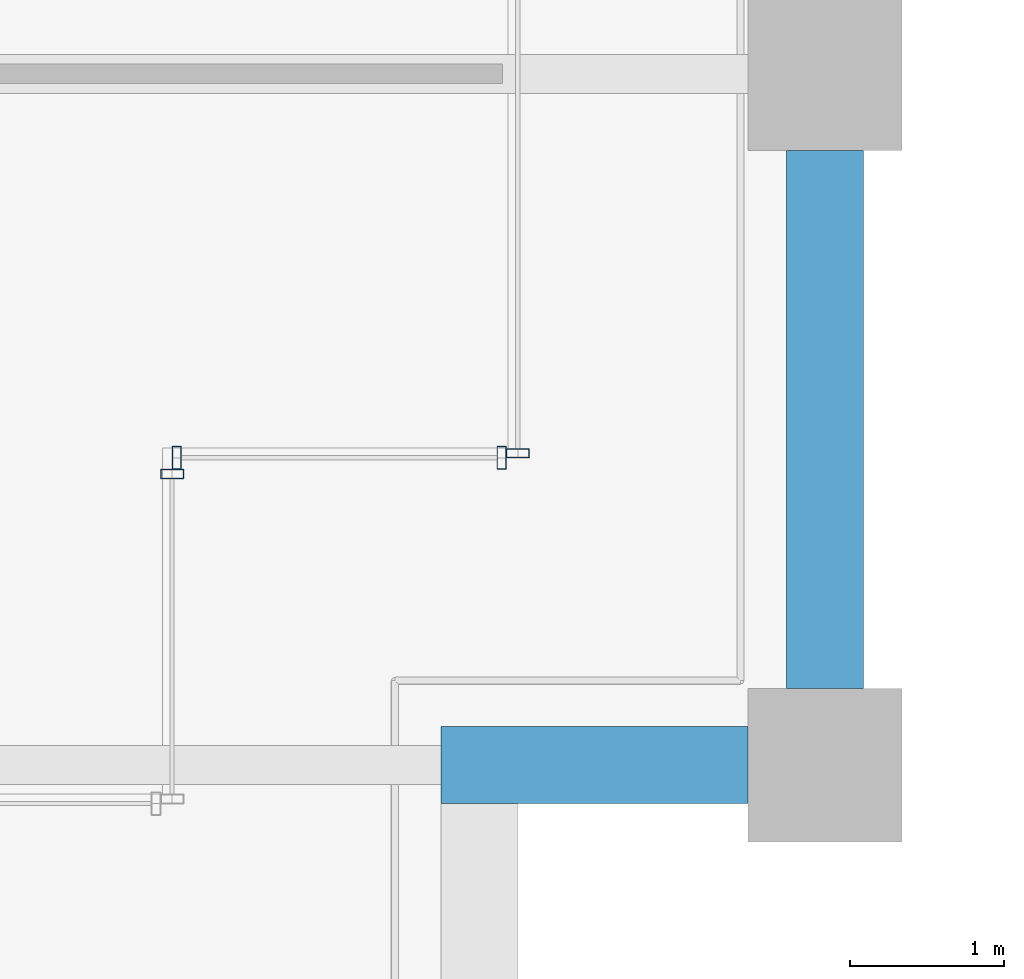
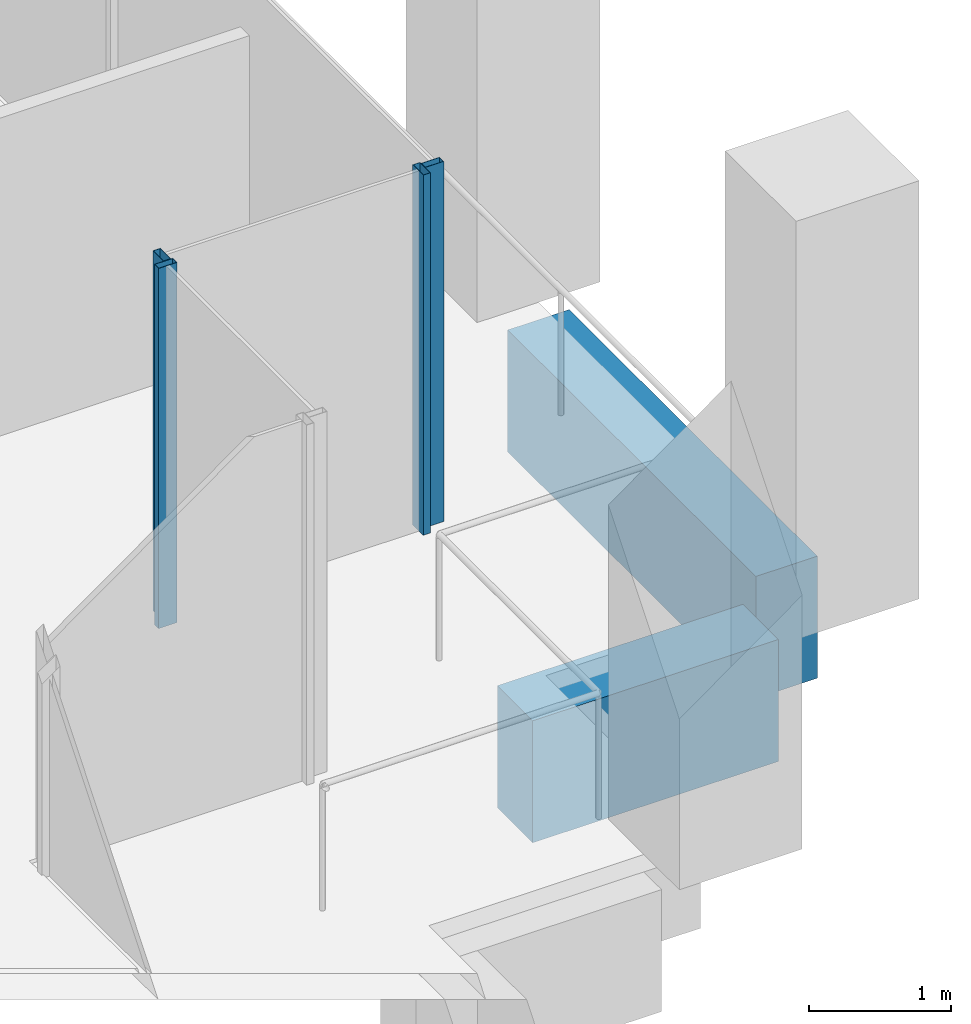
# One storey, part 13 of 46: 4 members, 2 beams, 3 elements without a shape of their own.
"""IFC4 building model written with IfcOpenShell, lengths in metres."""

from ifc_helpers import new_model, si_unit, direction, frame, origin, origin_2d, place, context, subcontext, project, spatial, rectangle, hollow_rectangle, extrude, material, material_profile, profile_set, type_object, element, aggregate, save


model = new_model("IFC4")

# Units and contexts
model_context = context("Model", 3, precision=1e-05, world=origin(), true_north=direction((0.0, 1.0)))
body_context = subcontext(model_context, "Body", "Model", "MODEL_VIEW")
ifc_project = project(units=[si_unit("LENGTHUNIT", "METRE"), si_unit("AREAUNIT", "SQUARE_METRE"), si_unit("VOLUMEUNIT", "CUBIC_METRE"), si_unit("PLANEANGLEUNIT", "RADIAN"), si_unit("MASSUNIT", "GRAM", prefix="KILO")], contexts=[model_context])

# Site, building, storey
site_placement = place(None, origin())
site = spatial("IfcSite", under=ifc_project, at=site_placement, CompositionType="ELEMENT")
building_placement = place(site_placement, origin())
building = spatial("IfcBuilding", under=site, at=building_placement, Name="Altepetl Exchange Towers", CompositionType="ELEMENT")
storey_placement = place(building_placement, frame((0.0, 0.0, 131.60009765625)))
storey = spatial("IfcBuildingStorey", under=building, at=storey_placement, Name="L32", CompositionType="ELEMENT", Elevation=131.60009765625)

# Curtain wall, member
ifc_material_1 = material(Name="Aluminium 6063-T6 glazing", Category="aluminium")
curtain_wall_type = type_object("IfcCurtainWallType", Name="Loggia glazing system", PredefinedType="NOTDEFINED", material=ifc_material_1)
curtain_wall_1_placement = place(storey_placement, origin())
curtain_wall_1 = element("IfcCurtainWall", 1, at=curtain_wall_1_placement, inside=storey, type_object=curtain_wall_type, Name="CW1 run", PredefinedType="NOTDEFINED")
ifc_material_2 = material(Name="Aluminium 6063-T6", Category="aluminium")
ifc_material_profile_1 = material_profile(ifc_material_2, hollow_rectangle(XDim=0.06005859375, YDim=0.14990234375, WallThickness=0.0029296875, at=origin_2d()), Name="Mullion 60x150 aluminium")
ifc_profile_set_1 = profile_set([ifc_material_profile_1], Name="Aluminium 6063-T6")
member_type = type_object("IfcMemberType", Name="Mullion 60x150 aluminium", PredefinedType="MULLION", material=ifc_profile_set_1)
member_1_placement = place(storey_placement, frame((67.75, 33.39501953125, 0.0), z_axis=(0.0, 0.0, 1.0), x_axis=(0.0, 1.0, 0.0)))
member_1 = element("IfcMember", 2, at=member_1_placement, type_object=member_type, Name="MU1 mullion", PredefinedType="MULLION", context=body_context, shape_type="SweptSolid", body=[
    extrude(hollow_rectangle(XDim=0.06005859375, YDim=0.14990234375, WallThickness=0.0029296875, at=origin_2d()), origin(), (0.0, 0.0, 1.0), 3.099853515625),
])
aggregate(curtain_wall_1, [member_1])

# Curtain wall, members
curtain_wall_2_placement = place(storey_placement, origin())
curtain_wall_2 = element("IfcCurtainWall", 3, at=curtain_wall_2_placement, inside=storey, type_object=curtain_wall_type, Name="CW1 run", PredefinedType="NOTDEFINED")
member_2_placement = place(storey_placement, frame((67.780029296875, 33.5, 0.0)))
member_2 = element("IfcMember", 4, at=member_2_placement, type_object=member_type, Name="MU1 mullion", PredefinedType="MULLION", context=body_context, shape_type="SweptSolid", body=[
    extrude(hollow_rectangle(XDim=0.06005859375, YDim=0.14990234375, WallThickness=0.0029296875, at=origin_2d()), origin(), (0.0, 0.0, 1.0), 3.099853515625),
])
member_3_placement = place(storey_placement, frame((69.89501953125, 33.5, 0.0)))
member_3 = element("IfcMember", 5, at=member_3_placement, type_object=member_type, Name="MU1 mullion", PredefinedType="MULLION", context=body_context, shape_type="SweptSolid", body=[
    extrude(hollow_rectangle(XDim=0.06005859375, YDim=0.14990234375, WallThickness=0.0029296875, at=origin_2d()), origin(), (0.0, 0.0, 1.0), 3.099853515625),
])
aggregate(curtain_wall_2, [member_2, member_3])

# Curtain wall, member
curtain_wall_3_placement = place(storey_placement, origin())
curtain_wall_3 = element("IfcCurtainWall", 6, at=curtain_wall_3_placement, inside=storey, type_object=curtain_wall_type, Name="CW1 run", PredefinedType="NOTDEFINED")
member_4_placement = place(storey_placement, frame((70.0, 33.530029296875, 0.0), z_axis=(0.0, 0.0, 1.0), x_axis=(0.0, 1.0, 0.0)))
member_4 = element("IfcMember", 7, at=member_4_placement, type_object=member_type, Name="MU1 mullion", PredefinedType="MULLION", context=body_context, shape_type="SweptSolid", body=[
    extrude(hollow_rectangle(XDim=0.06005859375, YDim=0.14990234375, WallThickness=0.0029296875, at=origin_2d()), origin(), (0.0, 0.0, 1.0), 3.099853515625),
])
aggregate(curtain_wall_3, [member_4])

# Beams
ifc_material_3 = material(Name="Concrete C50/60 precast with cantera amarilla facing", Category="concrete")
ifc_material_profile_2 = material_profile(ifc_material_3, rectangle(XDim=0.5, YDim=1.050048828125, at=origin_2d()), Name="500 x 1050")
ifc_profile_set_2 = profile_set([ifc_material_profile_2], Name="Concrete C50/60 precast with cantera amarilla facing")
beam_type = type_object("IfcBeamType", Name="Spandrel beam 500x1050 cantera amarilla", PredefinedType="SPANDREL", material=ifc_profile_set_2)
beam_1_placement = place(storey_placement, frame((69.5, 31.5, -0.675048828125), z_axis=(1.0, 0.0, 0.0), x_axis=(0.0, 1.0, 0.0)))
element("IfcBeam", 8, at=beam_1_placement, inside=storey, type_object=beam_type, Name="sp:A:L32:011", PredefinedType="SPANDREL", context=body_context, shape_type="SweptSolid", body=[
    extrude(rectangle(XDim=0.5, YDim=1.050048828125, at=origin_2d()), origin(), (0.0, 0.0, 1.0), 2.0),
])
beam_2_placement = place(storey_placement, frame((72.0, 32.0, -0.675048828125), z_axis=(0.0, 1.0, 0.0), x_axis=(-1.0, 0.0, 0.0)))
element("IfcBeam", 9, at=beam_2_placement, inside=storey, type_object=beam_type, Name="sp:A:L32:012", PredefinedType="SPANDREL", context=body_context, shape_type="SweptSolid", body=[
    extrude(rectangle(XDim=0.5, YDim=1.050048828125, at=origin_2d()), origin(), (0.0, 0.0, 1.0), 3.5),
])

save(model, "model.ifc")
